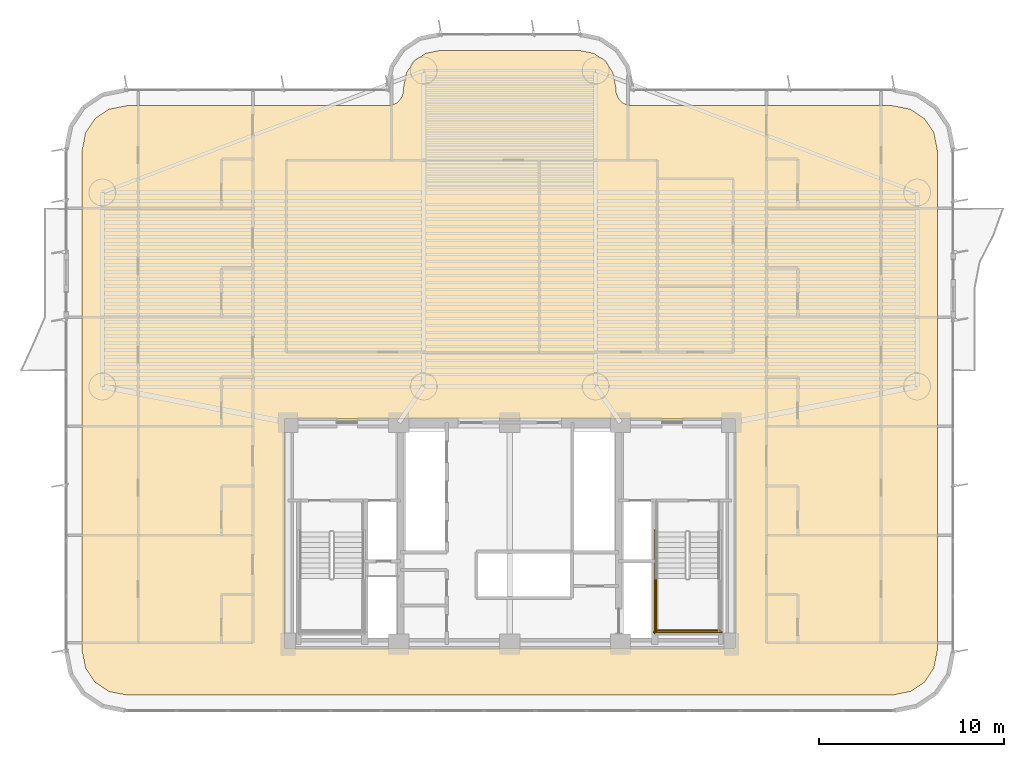
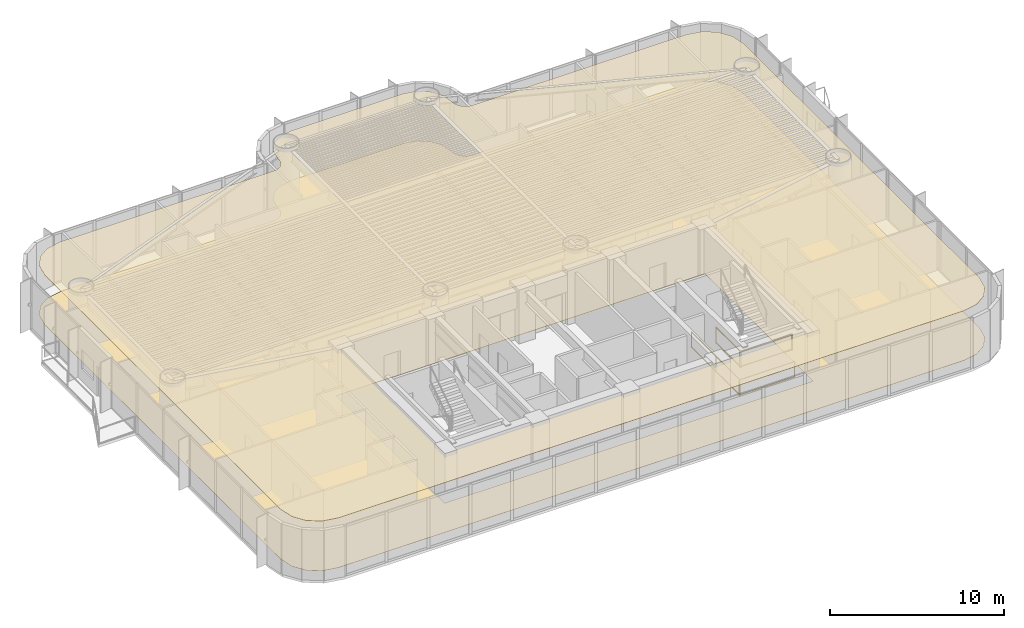
# One storey, part 16 of 18: 4 railings, 2 coverings.
"""IFC4 building model written with IfcOpenShell, lengths in metres."""

from ifc_helpers import new_model, si_unit, direction, frame, origin, origin_2d, place, context, subcontext, project, spatial, polyline, rectangle, outline, extrude, material, layer, layer_set, type_object, element, save


model = new_model("IFC4")

# Units and contexts
model_context = context("Model", 3, precision=1e-05, world=origin(), true_north=direction((0.0, 1.0)))
body_context = subcontext(model_context, "Body", "Model", "MODEL_VIEW")
ifc_project = project(units=[si_unit("LENGTHUNIT", "METRE"), si_unit("AREAUNIT", "SQUARE_METRE"), si_unit("VOLUMEUNIT", "CUBIC_METRE"), si_unit("PLANEANGLEUNIT", "RADIAN"), si_unit("MASSUNIT", "GRAM", prefix="KILO")], contexts=[model_context])

# Site, building, storey
site_placement = place(None, origin())
site = spatial("IfcSite", under=ifc_project, at=site_placement, CompositionType="ELEMENT")
building_placement = place(site_placement, origin())
building = spatial("IfcBuilding", under=site, at=building_placement, Name="Brelvock Crest Care Tower", CompositionType="ELEMENT")
storey_placement = place(building_placement, frame((0.0, 0.0, 42.1201171875)))
storey = spatial("IfcBuildingStorey", under=building, at=storey_placement, Name="L10", CompositionType="ELEMENT", Elevation=42.1201171875)

# Coverings
ifc_material_1 = material(Name="Mineral Fibre Acoustic Ceiling Tile", Category="gypsum")
ifc_layer_1 = layer(ifc_material_1, 0.02490234375, Name="COV-CLG1")
ifc_layer_set_1 = layer_set([ifc_layer_1], Name="Mineral Fibre Acoustic Ceiling Tile")
covering_type_1 = type_object("IfcCoveringType", Name="COV-CLG1", PredefinedType="CEILING", material=ifc_layer_set_1)
covering_1_placement = place(storey_placement, frame((0.0, 0.0, 3.474853515625)))
element("IfcCovering", 1, at=covering_1_placement, inside=storey, type_object=covering_type_1, Name="L10 Acoustic Suspended Ceiling 1", PredefinedType="CEILING", context=body_context, shape_type="SweptSolid", body=[
    extrude(outline(polyline([(56.71630859375, 35.14990234375), (42.5166015625, 35.154052734375), (42.353271484375, 35.1865234375), (42.127685546875, 35.293212890625), (41.893310546875, 35.52783203125), (41.766357421875, 35.834228515625), (41.75, 36.1162109375), (41.586181640625, 36.939697265625), (41.1669921875, 37.567138671875), (40.539794921875, 37.986083984375), (39.71630859375, 38.14990234375), (32.28369140625, 38.14990234375), (31.460205078125, 37.986083984375), (30.8330078125, 37.567138671875), (30.413818359375, 36.939697265625), (30.25, 36.1162109375), (30.233642578125, 35.834228515625), (30.149658203125, 35.599365234375), (30.0009765625, 35.39892578125), (29.872314453125, 35.293212890625), (29.56591796875, 35.166259765625), (15.28369140625, 35.14990234375), (14.30712890625, 34.955810546875), (13.550048828125, 34.449951171875), (13.044189453125, 33.69287109375), (12.85009765625, 32.71630859375), (12.85009765625, 5.68359375), (13.044189453125, 4.70703125), (13.550048828125, 3.9501953125), (14.30712890625, 3.4443359375), (15.28369140625, 3.25), (56.71630859375, 3.25), (57.69287109375, 3.4443359375), (58.449951171875, 3.9501953125), (58.955810546875, 4.70703125), (59.14990234375, 5.68359375), (59.14990234375, 32.71630859375), (58.955810546875, 33.69287109375), (58.449951171875, 34.449951171875), (57.69287109375, 34.955810546875), (56.71630859375, 35.14990234375)]), holes=[polyline([(48.199951171875, 5.800048828125), (48.199951171875, 18.199951171875), (23.800048828125, 18.199951171875), (23.800048828125, 5.800048828125), (48.199951171875, 5.800048828125)])]), origin(), (0.0, 0.0, 1.0), 0.025146484375),
])
ifc_material_2 = material(Name="Slip-Resistant Acoustic Vinyl Flooring", Category="finish")
ifc_layer_2 = layer(ifc_material_2, 0.014892578125, Name="COV-FLR1")
ifc_layer_set_2 = layer_set([ifc_layer_2], Name="Slip-Resistant Acoustic Vinyl Flooring")
covering_type_2 = type_object("IfcCoveringType", Name="COV-FLR1", PredefinedType="FLOORING", material=ifc_layer_set_2)
covering_2_placement = place(storey_placement, origin())
element("IfcCovering", 2, at=covering_2_placement, inside=storey, type_object=covering_type_2, Name="L10 Slip-Resistant Acoustic Flooring 1", PredefinedType="FLOORING", context=body_context, shape_type="SweptSolid", body=[
    extrude(outline(polyline([(56.71630859375, 35.14990234375), (42.5166015625, 35.154052734375), (42.353271484375, 35.1865234375), (42.127685546875, 35.293212890625), (41.893310546875, 35.52783203125), (41.766357421875, 35.834228515625), (41.75, 36.1162109375), (41.586181640625, 36.939697265625), (41.1669921875, 37.567138671875), (40.539794921875, 37.986083984375), (39.71630859375, 38.14990234375), (32.28369140625, 38.14990234375), (31.460205078125, 37.986083984375), (30.8330078125, 37.567138671875), (30.413818359375, 36.939697265625), (30.25, 36.1162109375), (30.233642578125, 35.834228515625), (30.149658203125, 35.599365234375), (30.0009765625, 35.39892578125), (29.872314453125, 35.293212890625), (29.56591796875, 35.166259765625), (15.28369140625, 35.14990234375), (14.30712890625, 34.955810546875), (13.550048828125, 34.449951171875), (13.044189453125, 33.69287109375), (12.85009765625, 32.71630859375), (12.85009765625, 5.68359375), (13.044189453125, 4.70703125), (13.550048828125, 3.9501953125), (14.30712890625, 3.4443359375), (15.28369140625, 3.25), (56.71630859375, 3.25), (57.69287109375, 3.4443359375), (58.449951171875, 3.9501953125), (58.955810546875, 4.70703125), (59.14990234375, 5.68359375), (59.14990234375, 32.71630859375), (58.955810546875, 33.69287109375), (58.449951171875, 34.449951171875), (57.69287109375, 34.955810546875), (56.71630859375, 35.14990234375)]), holes=[polyline([(48.199951171875, 5.800048828125), (48.199951171875, 18.199951171875), (23.800048828125, 18.199951171875), (23.800048828125, 5.800048828125), (48.199951171875, 5.800048828125)])]), origin(), (0.0, 0.0, 1.0), 0.014892578125),
])

# Railings
ifc_material_3 = material(Name="Steel Grade 350", Category="steel")
ifc_layer_3 = layer(ifc_material_3, 0.050048828125, Name="RL-STG1")
ifc_layer_set_3 = layer_set([ifc_layer_3], Name="Steel Grade 350")
railing_type = type_object("IfcRailingType", Name="RL-STG1", PredefinedType="GUARDRAIL", material=ifc_layer_set_3)
railing_1_placement = place(storey_placement, frame((43.93994140625, 9.56005859375, 1.889892578125)))
element("IfcRailing", 3, at=railing_1_placement, inside=storey, type_object=railing_type, Name="L10 ST-2 stair guard 3", PredefinedType="GUARDRAIL", context=body_context, shape_type="SweptSolid", body=[
    extrude(rectangle(XDim=0.048095703125, YDim=0.048095703125, at=origin_2d()), frame((0.0, -0.001953125, 1.11572265625), z_axis=(0.0, -1.0, 0.0), x_axis=(1.0, 0.0, 0.0)), (0.0, 0.0, 1.0), 2.856201171875),
    extrude(rectangle(XDim=0.048095703125, YDim=0.048095703125, at=origin_2d()), frame((0.0, -0.001953125, 0.054931640625), z_axis=(0.0, -1.0, 0.0), x_axis=(1.0, 0.0, 0.0)), (0.0, 0.0, 1.0), 2.856201171875),
    extrude(rectangle(XDim=0.0419921875, YDim=0.0419921875, at=origin_2d()), origin(), (0.0, 0.0, 1.0), 1.08984375),
    extrude(rectangle(XDim=0.0419921875, YDim=0.0419921875, at=origin_2d()), frame((0.0, -2.860107421875, 0.0)), (0.0, 0.0, 1.0), 1.08984375),
])
railing_2_placement = place(storey_placement, frame((43.889892578125, 6.75, 1.889892578125)))
element("IfcRailing", 4, at=railing_2_placement, inside=storey, type_object=railing_type, Name="L10 ST-2 stair guard 5", PredefinedType="GUARDRAIL", context=body_context, shape_type="SweptSolid", body=[
    extrude(rectangle(XDim=0.048095703125, YDim=0.048095703125, at=origin_2d()), frame((0.001953125, 0.0, 1.11572265625), z_axis=(1.0, 0.0, 0.0), x_axis=(0.0, 1.0, 0.0)), (0.0, 0.0, 1.0), 3.476318359375),
    extrude(rectangle(XDim=0.048095703125, YDim=0.048095703125, at=origin_2d()), frame((0.001953125, 0.0, 0.054931640625), z_axis=(1.0, 0.0, 0.0), x_axis=(0.0, 1.0, 0.0)), (0.0, 0.0, 1.0), 3.476318359375),
    extrude(rectangle(XDim=0.0419921875, YDim=0.0419921875, at=origin_2d()), origin(), (0.0, 0.0, 1.0), 1.08984375),
    extrude(rectangle(XDim=0.0419921875, YDim=0.0419921875, at=origin_2d()), frame((3.480224609375, 0.0, 0.0)), (0.0, 0.0, 1.0), 1.08984375),
])
railing_3_placement = place(storey_placement, frame((43.840087890625, 12.179931640625, 0.0)))
element("IfcRailing", 5, at=railing_3_placement, inside=storey, type_object=railing_type, Name="L10 ST-2 stair guard 10", PredefinedType="GUARDRAIL", context=body_context, shape_type="SweptSolid", body=[
    extrude(rectangle(XDim=0.048095703125, YDim=0.048095703125, at=origin_2d()), frame((0.0, -0.001953125, 1.11572265625), z_axis=(0.0, -1.0, 0.0), x_axis=(1.0, 0.0, 0.0)), (0.0, 0.0, 1.0), 5.575927734375),
    extrude(rectangle(XDim=0.048095703125, YDim=0.048095703125, at=origin_2d()), frame((0.0, -0.001953125, 0.054931640625), z_axis=(0.0, -1.0, 0.0), x_axis=(1.0, 0.0, 0.0)), (0.0, 0.0, 1.0), 5.575927734375),
    extrude(rectangle(XDim=0.0419921875, YDim=0.0419921875, at=origin_2d()), origin(), (0.0, 0.0, 1.0), 1.08984375),
    extrude(rectangle(XDim=0.0419921875, YDim=0.0419921875, at=origin_2d()), frame((0.0, -2.7900390625, 0.0)), (0.0, 0.0, 1.0), 1.08984375),
    extrude(rectangle(XDim=0.0419921875, YDim=0.0419921875, at=origin_2d()), frame((0.0, -5.579833984375, 0.0)), (0.0, 0.0, 1.0), 1.08984375),
])
railing_4_placement = place(storey_placement, frame((43.7900390625, 6.64990234375, 0.0)))
element("IfcRailing", 6, at=railing_4_placement, inside=storey, type_object=railing_type, Name="L10 ST-2 stair guard 12", PredefinedType="GUARDRAIL", context=body_context, shape_type="SweptSolid", body=[
    extrude(rectangle(XDim=0.048095703125, YDim=0.048095703125, at=origin_2d()), frame((0.001953125, 0.0, 1.11572265625), z_axis=(1.0, 0.0, 0.0), x_axis=(0.0, 1.0, 0.0)), (0.0, 0.0, 1.0), 3.676025390625),
    extrude(rectangle(XDim=0.048095703125, YDim=0.048095703125, at=origin_2d()), frame((0.001953125, 0.0, 0.054931640625), z_axis=(1.0, 0.0, 0.0), x_axis=(0.0, 1.0, 0.0)), (0.0, 0.0, 1.0), 3.676025390625),
    extrude(rectangle(XDim=0.0419921875, YDim=0.0419921875, at=origin_2d()), origin(), (0.0, 0.0, 1.0), 1.08984375),
    extrude(rectangle(XDim=0.0419921875, YDim=0.0419921875, at=origin_2d()), frame((3.679931640625, 0.0, 0.0)), (0.0, 0.0, 1.0), 1.08984375),
])

save(model, "model.ifc")
